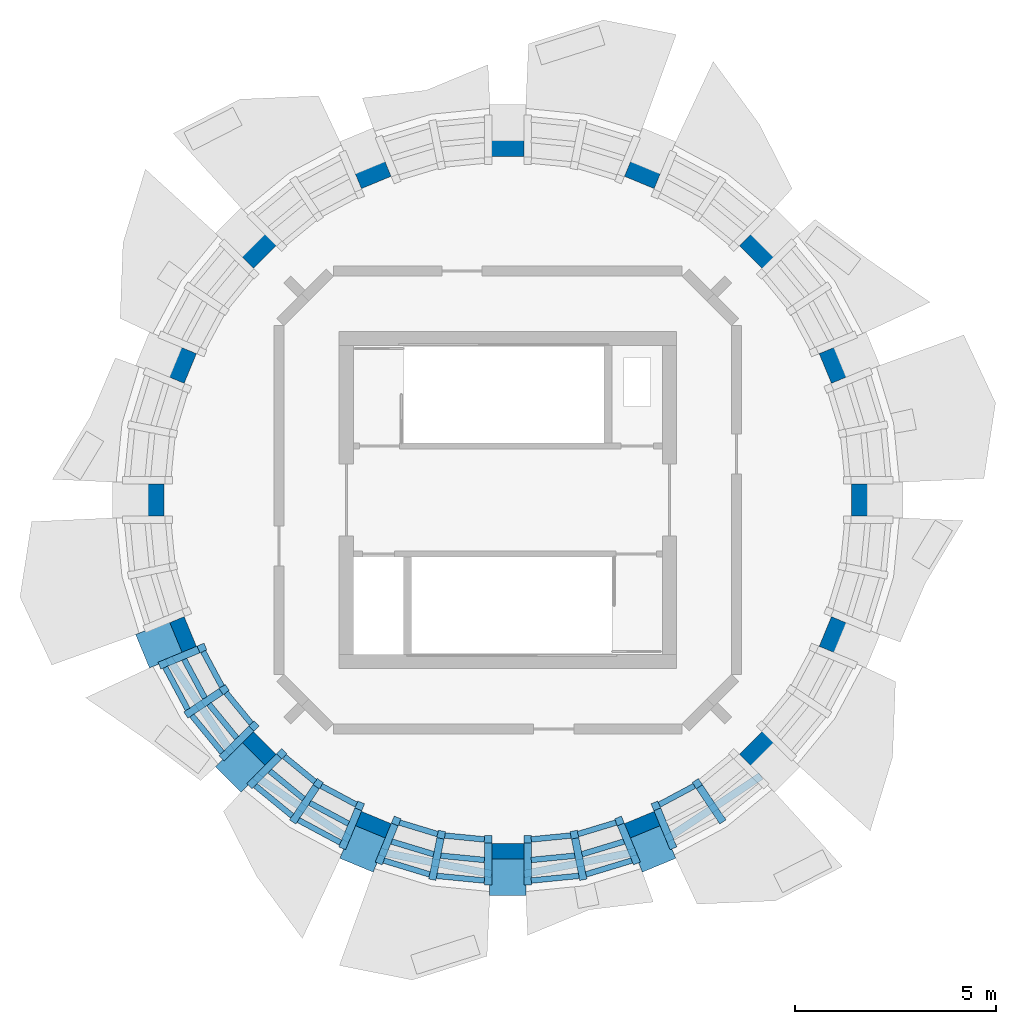
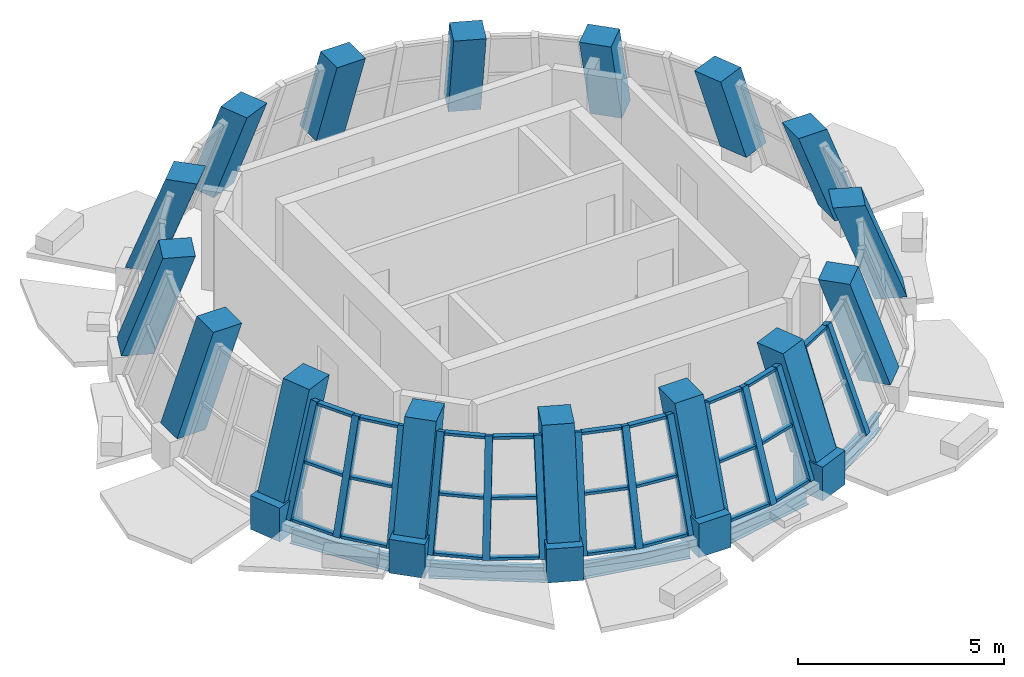
# One storey, part 1 of 8: 44 members, 16 columns, 5 beams, 5 elements without a shape of their own.
"""IFC4 building model written with IfcOpenShell, lengths in metres."""

from ifc_helpers import new_model, si_unit, direction, frame, origin, origin_2d, place, context, subcontext, project, spatial, rectangle, i_section, extrude, material, material_profile, profile_set, type_object, element, aggregate, save


model = new_model("IFC4")

# Units and contexts
model_context = context("Model", 3, precision=1e-05, world=origin(), true_north=direction((0.0, 1.0)))
body_context = subcontext(model_context, "Body", "Model", "MODEL_VIEW")
ifc_project = project(units=[si_unit("LENGTHUNIT", "METRE"), si_unit("AREAUNIT", "SQUARE_METRE"), si_unit("VOLUMEUNIT", "CUBIC_METRE"), si_unit("PLANEANGLEUNIT", "RADIAN"), si_unit("MASSUNIT", "GRAM", prefix="KILO")], contexts=[model_context])

# Site, building, storey
site_placement = place(None, origin())
site = spatial("IfcSite", under=ifc_project, at=site_placement, CompositionType="ELEMENT")
building_placement = place(site_placement, origin())
building = spatial("IfcBuilding", under=site, at=building_placement, Name="Polderwave Tower", CompositionType="ELEMENT")
storey_placement = place(building_placement, frame((0.0, 0.0, 244.39990234375)))
storey = spatial("IfcBuildingStorey", under=building, at=storey_placement, Name="L66", CompositionType="ELEMENT", Elevation=244.39990234375)

# Columns
ifc_material_1 = material(Name="Concrete C60/75", Category="concrete")
ifc_material_profile_1 = material_profile(ifc_material_1, rectangle(XDim=0.800048828125, YDim=0.800048828125, at=origin_2d()), Name="RC 800x800")
ifc_profile_set_1 = profile_set([ifc_material_profile_1], Name="Concrete C60/75")
column_type = type_object("IfcColumnType", Name="RC COLUMN 800x800 C60/75", PredefinedType="COLUMN", material=ifc_profile_set_1)
column_1_placement = place(storey_placement, frame((9.21826171875, 0.0, 0.5), z_axis=(0.0, 0.0, 1.0), x_axis=(0.0, -1.0, 0.0)))
element("IfcColumn", 1, at=column_1_placement, inside=storey, type_object=column_type, Name="Ring column 01", PredefinedType="COLUMN", context=body_context, shape_type="SweptSolid", body=[
    extrude(rectangle(XDim=0.800048828125, YDim=0.800048828125, at=origin_2d()), origin(), (0.0, -0.341775958904, 0.939781460721), 2.9794921875),
])
column_2_placement = place(storey_placement, frame((8.5166015625, 3.527587890625, 0.5), z_axis=(0.0, 0.0, 1.0), x_axis=(0.38269062517, -0.923876553121, 0.0)))
element("IfcColumn", 2, at=column_2_placement, inside=storey, type_object=column_type, Name="Ring column 02", PredefinedType="COLUMN", context=body_context, shape_type="SweptSolid", body=[
    extrude(rectangle(XDim=0.800048828125, YDim=0.800048828125, at=origin_2d()), origin(), (0.0, -0.341737645462, 0.939795393516), 2.9794921875),
])
column_3_placement = place(storey_placement, frame((6.518310546875, 6.518310546875, 0.5), z_axis=(0.0, 0.0, 1.0), x_axis=(0.707106781187, -0.707106781187, 0.0)))
element("IfcColumn", 3, at=column_3_placement, inside=storey, type_object=column_type, Name="Ring column 03", PredefinedType="COLUMN", context=body_context, shape_type="SweptSolid", body=[
    extrude(rectangle(XDim=0.800048828125, YDim=0.800048828125, at=origin_2d()), origin(), (0.0, -0.34174091659, 0.93979420403), 2.9794921875),
])
column_4_placement = place(storey_placement, frame((3.527587890625, 8.5166015625, 0.5), z_axis=(0.0, 0.0, 1.0), x_axis=(0.923876553121, -0.38269062517, 0.0)))
element("IfcColumn", 4, at=column_4_placement, inside=storey, type_object=column_type, Name="Ring column 04", PredefinedType="COLUMN", context=body_context, shape_type="SweptSolid", body=[
    extrude(rectangle(XDim=0.800048828125, YDim=0.800048828125, at=origin_2d()), origin(), (0.0, -0.341737645462, 0.939795393516), 2.9794921875),
])
column_5_placement = place(storey_placement, frame((0.0, 9.21826171875, 0.5), z_axis=(0.0, 0.0, 1.0), x_axis=(1.0, 0.0, 0.0)))
element("IfcColumn", 5, at=column_5_placement, inside=storey, type_object=column_type, Name="Ring column 05", PredefinedType="COLUMN", context=body_context, shape_type="SweptSolid", body=[
    extrude(rectangle(XDim=0.800048828125, YDim=0.800048828125, at=origin_2d()), origin(), (0.0, -0.341775958904, 0.939781460721), 2.9794921875),
])
column_6_placement = place(storey_placement, frame((-3.527587890625, 8.5166015625, 0.5), z_axis=(0.0, 0.0, 1.0), x_axis=(0.923876553121, 0.38269062517, 0.0)))
element("IfcColumn", 6, at=column_6_placement, inside=storey, type_object=column_type, Name="Ring column 06", PredefinedType="COLUMN", context=body_context, shape_type="SweptSolid", body=[
    extrude(rectangle(XDim=0.800048828125, YDim=0.800048828125, at=origin_2d()), origin(), (0.0, -0.341737645462, 0.939795393516), 2.9794921875),
])
column_7_placement = place(storey_placement, frame((-6.518310546875, 6.518310546875, 0.5), z_axis=(0.0, 0.0, 1.0), x_axis=(0.707106781187, 0.707106781187, 0.0)))
element("IfcColumn", 7, at=column_7_placement, inside=storey, type_object=column_type, Name="Ring column 07", PredefinedType="COLUMN", context=body_context, shape_type="SweptSolid", body=[
    extrude(rectangle(XDim=0.800048828125, YDim=0.800048828125, at=origin_2d()), origin(), (0.0, -0.34174091659, 0.93979420403), 2.9794921875),
])
column_8_placement = place(storey_placement, frame((-8.5166015625, 3.527587890625, 0.5), z_axis=(0.0, 0.0, 1.0), x_axis=(0.38269062517, 0.923876553121, 0.0)))
element("IfcColumn", 8, at=column_8_placement, inside=storey, type_object=column_type, Name="Ring column 08", PredefinedType="COLUMN", context=body_context, shape_type="SweptSolid", body=[
    extrude(rectangle(XDim=0.800048828125, YDim=0.800048828125, at=origin_2d()), origin(), (0.0, -0.341737645462, 0.939795393516), 2.9794921875),
])
column_9_placement = place(storey_placement, frame((-9.21826171875, 0.0, 0.5), z_axis=(0.0, 0.0, 1.0), x_axis=(0.0, 1.0, 0.0)))
element("IfcColumn", 9, at=column_9_placement, inside=storey, type_object=column_type, Name="Ring column 09", PredefinedType="COLUMN", context=body_context, shape_type="SweptSolid", body=[
    extrude(rectangle(XDim=0.800048828125, YDim=0.800048828125, at=origin_2d()), origin(), (0.0, -0.341775958904, 0.939781460721), 2.9794921875),
])
column_10_placement = place(storey_placement, frame((-8.5166015625, -3.527587890625, 0.5), z_axis=(0.0, 0.0, 1.0), x_axis=(-0.38269062517, 0.923876553121, 0.0)))
element("IfcColumn", 10, at=column_10_placement, inside=storey, type_object=column_type, Name="Ring column 10", PredefinedType="COLUMN", context=body_context, shape_type="SweptSolid", body=[
    extrude(rectangle(XDim=0.800048828125, YDim=0.800048828125, at=origin_2d()), origin(), (0.0, -0.341737645462, 0.939795393516), 2.9794921875),
])
column_11_placement = place(storey_placement, frame((-6.518310546875, -6.518310546875, 0.5), z_axis=(0.0, 0.0, 1.0), x_axis=(-0.707106781187, 0.707106781187, 0.0)))
element("IfcColumn", 11, at=column_11_placement, inside=storey, type_object=column_type, Name="Ring column 11", PredefinedType="COLUMN", context=body_context, shape_type="SweptSolid", body=[
    extrude(rectangle(XDim=0.800048828125, YDim=0.800048828125, at=origin_2d()), origin(), (0.0, -0.34174091659, 0.93979420403), 2.9794921875),
])
column_12_placement = place(storey_placement, frame((-3.527587890625, -8.5166015625, 0.5), z_axis=(0.0, 0.0, 1.0), x_axis=(-0.923876553121, 0.38269062517, 0.0)))
element("IfcColumn", 12, at=column_12_placement, inside=storey, type_object=column_type, Name="Ring column 12", PredefinedType="COLUMN", context=body_context, shape_type="SweptSolid", body=[
    extrude(rectangle(XDim=0.800048828125, YDim=0.800048828125, at=origin_2d()), origin(), (0.0, -0.341737645462, 0.939795393516), 2.9794921875),
])
column_13_placement = place(storey_placement, frame((0.0, -9.21826171875, 0.5), z_axis=(0.0, 0.0, 1.0), x_axis=(-1.0, 0.0, 0.0)))
element("IfcColumn", 13, at=column_13_placement, inside=storey, type_object=column_type, Name="Ring column 13", PredefinedType="COLUMN", context=body_context, shape_type="SweptSolid", body=[
    extrude(rectangle(XDim=0.800048828125, YDim=0.800048828125, at=origin_2d()), origin(), (0.0, -0.341775958904, 0.939781460721), 2.9794921875),
])
column_14_placement = place(storey_placement, frame((3.527587890625, -8.5166015625, 0.5), z_axis=(0.0, 0.0, 1.0), x_axis=(-0.923876553121, -0.38269062517, 0.0)))
element("IfcColumn", 14, at=column_14_placement, inside=storey, type_object=column_type, Name="Ring column 14", PredefinedType="COLUMN", context=body_context, shape_type="SweptSolid", body=[
    extrude(rectangle(XDim=0.800048828125, YDim=0.800048828125, at=origin_2d()), origin(), (0.0, -0.341737645462, 0.939795393516), 2.9794921875),
])
column_15_placement = place(storey_placement, frame((6.518310546875, -6.518310546875, 0.5), z_axis=(0.0, 0.0, 1.0), x_axis=(-0.707106781187, -0.707106781187, 0.0)))
element("IfcColumn", 15, at=column_15_placement, inside=storey, type_object=column_type, Name="Ring column 15", PredefinedType="COLUMN", context=body_context, shape_type="SweptSolid", body=[
    extrude(rectangle(XDim=0.800048828125, YDim=0.800048828125, at=origin_2d()), origin(), (0.0, -0.34174091659, 0.93979420403), 2.9794921875),
])
column_16_placement = place(storey_placement, frame((8.5166015625, -3.527587890625, 0.5), z_axis=(0.0, 0.0, 1.0), x_axis=(-0.38269062517, -0.923876553121, 0.0)))
element("IfcColumn", 16, at=column_16_placement, inside=storey, type_object=column_type, Name="Ring column 16", PredefinedType="COLUMN", context=body_context, shape_type="SweptSolid", body=[
    extrude(rectangle(XDim=0.800048828125, YDim=0.800048828125, at=origin_2d()), origin(), (0.0, -0.341737645462, 0.939795393516), 2.9794921875),
])

# Curtain wall, members
ifc_material_2 = material(Name="Aluminium 6063-T6 and glass", Category="aluminium")
curtain_wall_type = type_object("IfcCurtainWallType", Name="Crown facet glazing wall", PredefinedType="NOTDEFINED", material=ifc_material_2)
curtain_wall_1_placement = place(storey_placement, origin())
curtain_wall_1 = element("IfcCurtainWall", 17, at=curtain_wall_1_placement, inside=storey, type_object=curtain_wall_type, Name="CROWN CW6 L66 09", PredefinedType="NOTDEFINED")
ifc_material_3 = material(Name="Aluminium 6063-T6", Category="aluminium")
ifc_material_profile_2 = material_profile(ifc_material_3, rectangle(XDim=0.18505859375, YDim=0.199951171875, at=origin_2d()), Name="AL 185x200")
ifc_profile_set_2 = profile_set([ifc_material_profile_2], Name="Aluminium 6063-T6")
member_type_1 = type_object("IfcMemberType", Name="Crown facet glazing mullion 185x200", PredefinedType="MULLION", material=ifc_profile_set_2)
member_1_placement = place(storey_placement, frame((-8.59228515625, -4.091552734375, 0.0), z_axis=(0.310299397487, 0.128687341183, 0.941888449944), x_axis=(-0.383082628579, 0.923714078966, 0.0)))
member_1 = element("IfcMember", 18, at=member_1_placement, type_object=member_type_1, Name="CW6 mullion 1", PredefinedType="MULLION", context=body_context, shape_type="SweptSolid", body=[
    extrude(rectangle(XDim=0.18505859375, YDim=0.199951171875, at=origin_2d()), origin(), (0.0, 0.0, 1.0), 3.13232421875),
])
member_2_placement = place(storey_placement, frame((-7.94189453125, -5.306884765625, 0.0), z_axis=(0.279345260731, 0.186749789261, 0.941854947175), x_axis=(-0.555770310415, 0.831335890036, 0.0)))
member_2 = element("IfcMember", 19, at=member_2_placement, type_object=member_type_1, Name="CW6 mullion 2", PredefinedType="MULLION", context=body_context, shape_type="SweptSolid", body=[
    extrude(rectangle(XDim=0.18505859375, YDim=0.199951171875, at=origin_2d()), origin(), (0.0, 0.0, 1.0), 3.13232421875),
])
member_3_placement = place(storey_placement, frame((-7.067626953125, -6.37255859375, 0.0), z_axis=(0.237498431558, 0.237576376564, 0.941887445668), x_axis=(-0.707222785906, 0.706990757433, 0.0)))
member_3 = element("IfcMember", 20, at=member_3_placement, type_object=member_type_1, Name="CW6 mullion 3", PredefinedType="MULLION", context=body_context, shape_type="SweptSolid", body=[
    extrude(rectangle(XDim=0.18505859375, YDim=0.199951171875, at=origin_2d()), origin(), (0.0, 0.0, 1.0), 3.13232421875),
])

curtain_wall_2_placement = place(storey_placement, origin())
curtain_wall_2 = element("IfcCurtainWall", 21, at=curtain_wall_2_placement, inside=storey, type_object=curtain_wall_type, Name="CROWN CW6 L66 10", PredefinedType="NOTDEFINED")
member_4_placement = place(storey_placement, frame((-6.37255859375, -7.067626953125, 0.0), z_axis=(0.237576376564, 0.237498431558, 0.941887445668), x_axis=(-0.706990757433, 0.707222785906, 0.0)))
member_4 = element("IfcMember", 22, at=member_4_placement, type_object=member_type_1, Name="CW6 mullion 1", PredefinedType="MULLION", context=body_context, shape_type="SweptSolid", body=[
    extrude(rectangle(XDim=0.18505859375, YDim=0.199951171875, at=origin_2d()), origin(), (0.0, 0.0, 1.0), 3.13232421875),
])
member_5_placement = place(storey_placement, frame((-5.306884765625, -7.94189453125, 0.0), z_axis=(0.186749789261, 0.279345260731, 0.941854947175), x_axis=(-0.831335890036, 0.555770310415, 0.0)))
member_5 = element("IfcMember", 23, at=member_5_placement, type_object=member_type_1, Name="CW6 mullion 2", PredefinedType="MULLION", context=body_context, shape_type="SweptSolid", body=[
    extrude(rectangle(XDim=0.18505859375, YDim=0.199951171875, at=origin_2d()), origin(), (0.0, 0.0, 1.0), 3.13232421875),
])
member_6_placement = place(storey_placement, frame((-4.091552734375, -8.59228515625, 0.0), z_axis=(0.128687341183, 0.310299397487, 0.941888449944), x_axis=(-0.923714078966, 0.383082628579, 0.0)))
member_6 = element("IfcMember", 24, at=member_6_placement, type_object=member_type_1, Name="CW6 mullion 3", PredefinedType="MULLION", context=body_context, shape_type="SweptSolid", body=[
    extrude(rectangle(XDim=0.18505859375, YDim=0.199951171875, at=origin_2d()), origin(), (0.0, 0.0, 1.0), 3.13232421875),
])

curtain_wall_3_placement = place(storey_placement, origin())
curtain_wall_3 = element("IfcCurtainWall", 25, at=curtain_wall_3_placement, inside=storey, type_object=curtain_wall_type, Name="CROWN CW6 L66 11", PredefinedType="NOTDEFINED")
member_7_placement = place(storey_placement, frame((-3.1826171875, -8.968994140625, 0.0), z_axis=(0.128684228433, 0.310369835021, 0.9418656671), x_axis=(-0.923748119056, 0.383000538564, 0.0)))
member_7 = element("IfcMember", 26, at=member_7_placement, type_object=member_type_1, Name="CW6 mullion 1", PredefinedType="MULLION", context=body_context, shape_type="SweptSolid", body=[
    extrude(rectangle(XDim=0.18505859375, YDim=0.199951171875, at=origin_2d()), origin(), (0.0, 0.0, 1.0), 3.13232421875),
])
member_8_placement = place(storey_placement, frame((-1.864013671875, -9.368896484375, 0.0), z_axis=(0.065784515081, 0.329468181575, 0.941872132991), x_axis=(-0.980643086166, 0.19580382416, 0.0)))
member_8 = element("IfcMember", 27, at=member_8_placement, type_object=member_type_1, Name="CW6 mullion 2", PredefinedType="MULLION", context=body_context, shape_type="SweptSolid", body=[
    extrude(rectangle(XDim=0.18505859375, YDim=0.199951171875, at=origin_2d()), origin(), (0.0, 0.0, 1.0), 3.13232421875),
])
member_9_placement = place(storey_placement, frame((-0.4921875, -9.50390625, 0.0), z_axis=(0.0, 0.335872203123, 0.941907566149), x_axis=(-1.0, 0.0, 0.0)))
member_9 = element("IfcMember", 28, at=member_9_placement, type_object=member_type_1, Name="CW6 mullion 3", PredefinedType="MULLION", context=body_context, shape_type="SweptSolid", body=[
    extrude(rectangle(XDim=0.18505859375, YDim=0.199951171875, at=origin_2d()), origin(), (0.0, 0.0, 1.0), 3.132080078125),
])

curtain_wall_4_placement = place(storey_placement, origin())
curtain_wall_4 = element("IfcCurtainWall", 29, at=curtain_wall_4_placement, inside=storey, type_object=curtain_wall_type, Name="CROWN CW6 L66 12", PredefinedType="NOTDEFINED")
member_10_placement = place(storey_placement, frame((0.4921875, -9.50390625, 0.0), z_axis=(0.0, 0.335872203123, 0.941907566149), x_axis=(-1.0, 0.0, 0.0)))
member_10 = element("IfcMember", 30, at=member_10_placement, type_object=member_type_1, Name="CW6 mullion 1", PredefinedType="MULLION", context=body_context, shape_type="SweptSolid", body=[
    extrude(rectangle(XDim=0.18505859375, YDim=0.199951171875, at=origin_2d()), origin(), (0.0, 0.0, 1.0), 3.132080078125),
])
member_11_placement = place(storey_placement, frame((1.864013671875, -9.368896484375, 0.0), z_axis=(-0.065784515081, 0.329468181575, 0.941872132991), x_axis=(-0.980643086166, -0.19580382416, 0.0)))
member_11 = element("IfcMember", 31, at=member_11_placement, type_object=member_type_1, Name="CW6 mullion 2", PredefinedType="MULLION", context=body_context, shape_type="SweptSolid", body=[
    extrude(rectangle(XDim=0.18505859375, YDim=0.199951171875, at=origin_2d()), origin(), (0.0, 0.0, 1.0), 3.13232421875),
])
member_12_placement = place(storey_placement, frame((3.1826171875, -8.968994140625, 0.0), z_axis=(-0.128684228433, 0.310369835021, 0.9418656671), x_axis=(-0.923748119056, -0.383000538564, 0.0)))
member_12 = element("IfcMember", 32, at=member_12_placement, type_object=member_type_1, Name="CW6 mullion 3", PredefinedType="MULLION", context=body_context, shape_type="SweptSolid", body=[
    extrude(rectangle(XDim=0.18505859375, YDim=0.199951171875, at=origin_2d()), origin(), (0.0, 0.0, 1.0), 3.13232421875),
])

curtain_wall_5_placement = place(storey_placement, origin())
curtain_wall_5 = element("IfcCurtainWall", 33, at=curtain_wall_5_placement, inside=storey, type_object=curtain_wall_type, Name="CROWN CW6 L66 13", PredefinedType="NOTDEFINED")
member_13_placement = place(storey_placement, frame((4.091552734375, -8.59228515625, 0.0), z_axis=(-0.128687341183, 0.310299397487, 0.941888449944), x_axis=(-0.923714078966, -0.383082628579, 0.0)))
member_13 = element("IfcMember", 34, at=member_13_placement, type_object=member_type_1, Name="CW6 mullion 1", PredefinedType="MULLION", context=body_context, shape_type="SweptSolid", body=[
    extrude(rectangle(XDim=0.18505859375, YDim=0.199951171875, at=origin_2d()), origin(), (0.0, 0.0, 1.0), 3.13232421875),
])
member_14_placement = place(storey_placement, frame((5.306884765625, -7.94189453125, 0.0), z_axis=(-0.186749789261, 0.279345260731, 0.941854947175), x_axis=(-0.831335890036, -0.555770310415, 0.0)))
member_14 = element("IfcMember", 35, at=member_14_placement, type_object=member_type_1, Name="CW6 mullion 2", PredefinedType="MULLION", context=body_context, shape_type="SweptSolid", body=[
    extrude(rectangle(XDim=0.18505859375, YDim=0.199951171875, at=origin_2d()), origin(), (0.0, 0.0, 1.0), 3.13232421875),
])

# Member
ifc_material_profile_3 = material_profile(ifc_material_3, rectangle(XDim=0.139892578125, YDim=0.080078125, at=origin_2d()), Name="AL 80x140")
ifc_profile_set_3 = profile_set([ifc_material_profile_3], Name="Aluminium 6063-T6")
member_type_2 = type_object("IfcMemberType", Name="Crown facet glazing transom 80x140", PredefinedType="USERDEFINED", material=ifc_profile_set_3)
member_15_placement = place(storey_placement, frame((-8.535400390625, -4.167724609375, 0.0400390625), z_axis=(0.471652250337, -0.881784641935, 0.0), x_axis=(0.881784641935, 0.471652250337, 0.0)))
member_15 = element("IfcMember", 36, at=member_15_placement, type_object=member_type_2, Name="CW6 transom 1", ObjectType="TRANSOM", PredefinedType="USERDEFINED", context=body_context, shape_type="SweptSolid", body=[
    extrude(rectangle(XDim=0.139892578125, YDim=0.080078125, at=origin_2d()), origin(), (0.0, 0.0, 1.0), 1.1904296875),
])

member_16_placement = place(storey_placement, frame((-8.062744140625, -3.9716796875, 1.47509765625), z_axis=(0.472028770132, -0.881583144217, 0.0), x_axis=(0.881583144217, 0.472028770132, 0.0)))
member_16 = element("IfcMember", 37, at=member_16_placement, type_object=member_type_2, Name="CW6 transom 2", ObjectType="TRANSOM", PredefinedType="USERDEFINED", context=body_context, shape_type="SweptSolid", body=[
    extrude(rectangle(XDim=0.139892578125, YDim=0.080078125, at=origin_2d()), origin(), (0.0, 0.0, 1.0), 1.09033203125),
])

member_17_placement = place(storey_placement, frame((-7.58984375, -3.775634765625, 2.91015625), z_axis=(0.471995569536, -0.88160092011, 0.0), x_axis=(0.88160092011, 0.471995569536, 0.0)))
member_17 = element("IfcMember", 38, at=member_17_placement, type_object=member_type_2, Name="CW6 transom 3", ObjectType="TRANSOM", PredefinedType="USERDEFINED", context=body_context, shape_type="SweptSolid", body=[
    extrude(rectangle(XDim=0.139892578125, YDim=0.080078125, at=origin_2d()), origin(), (0.0, 0.0, 1.0), 0.989990234375),
])

member_18_placement = place(storey_placement, frame((-7.87158203125, -5.37060546875, 0.0400390625), z_axis=(0.634398302458, -0.773006334928, 0.0), x_axis=(0.773006334928, 0.634398302458, 0.0)))
member_18 = element("IfcMember", 39, at=member_18_placement, type_object=member_type_2, Name="CW6 transom 4", ObjectType="TRANSOM", PredefinedType="USERDEFINED", context=body_context, shape_type="SweptSolid", body=[
    extrude(rectangle(XDim=0.139892578125, YDim=0.080078125, at=origin_2d()), origin(), (0.0, 0.0, 1.0), 1.190673828125),
])

member_19_placement = place(storey_placement, frame((-7.44580078125, -5.0859375, 1.47509765625), z_axis=(0.63415188799, -0.773208499021, 0.0), x_axis=(0.773208499021, 0.63415188799, 0.0)))
member_19 = element("IfcMember", 40, at=member_19_placement, type_object=member_type_2, Name="CW6 transom 5", ObjectType="TRANSOM", PredefinedType="USERDEFINED", context=body_context, shape_type="SweptSolid", body=[
    extrude(rectangle(XDim=0.139892578125, YDim=0.080078125, at=origin_2d()), origin(), (0.0, 0.0, 1.0), 1.09033203125),
])

member_20_placement = place(storey_placement, frame((-7.020263671875, -4.801513671875, 2.91015625), z_axis=(0.634150351178, -0.773209759445, 0.0), x_axis=(0.773209759445, 0.634150351178, 0.0)))
member_20 = element("IfcMember", 41, at=member_20_placement, type_object=member_type_2, Name="CW6 transom 6", ObjectType="TRANSOM", PredefinedType="USERDEFINED", context=body_context, shape_type="SweptSolid", body=[
    extrude(rectangle(XDim=0.139892578125, YDim=0.080078125, at=origin_2d()), origin(), (0.0, 0.0, 1.0), 0.990234375),
])

aggregate(curtain_wall_1, [member_1, member_2, member_3, member_15, member_16, member_17, member_18, member_19, member_20])

member_21_placement = place(storey_placement, frame((-6.291015625, -7.1162109375, 0.0400390625), z_axis=(0.773006334928, -0.634398302458, 0.0), x_axis=(0.634398302458, 0.773006334928, 0.0)))
member_21 = element("IfcMember", 42, at=member_21_placement, type_object=member_type_2, Name="CW6 transom 1", ObjectType="TRANSOM", PredefinedType="USERDEFINED", context=body_context, shape_type="SweptSolid", body=[
    extrude(rectangle(XDim=0.139892578125, YDim=0.080078125, at=origin_2d()), origin(), (0.0, 0.0, 1.0), 1.190673828125),
])

member_22_placement = place(storey_placement, frame((-5.928955078125, -6.75439453125, 1.47509765625), z_axis=(0.773208499021, -0.63415188799, 0.0), x_axis=(0.63415188799, 0.773208499021, 0.0)))
member_22 = element("IfcMember", 43, at=member_22_placement, type_object=member_type_2, Name="CW6 transom 2", ObjectType="TRANSOM", PredefinedType="USERDEFINED", context=body_context, shape_type="SweptSolid", body=[
    extrude(rectangle(XDim=0.139892578125, YDim=0.080078125, at=origin_2d()), origin(), (0.0, 0.0, 1.0), 1.09033203125),
])

member_23_placement = place(storey_placement, frame((-5.567138671875, -6.392333984375, 2.91015625), z_axis=(0.773209759445, -0.634150351178, 0.0), x_axis=(0.634150351178, 0.773209759445, 0.0)))
member_23 = element("IfcMember", 44, at=member_23_placement, type_object=member_type_2, Name="CW6 transom 3", ObjectType="TRANSOM", PredefinedType="USERDEFINED", context=body_context, shape_type="SweptSolid", body=[
    extrude(rectangle(XDim=0.139892578125, YDim=0.080078125, at=origin_2d()), origin(), (0.0, 0.0, 1.0), 0.990234375),
])

member_24_placement = place(storey_placement, frame((-5.217529296875, -7.973876953125, 0.0400390625), z_axis=(0.881784641935, -0.471652250337, 0.0), x_axis=(0.471652250337, 0.881784641935, 0.0)))
member_24 = element("IfcMember", 45, at=member_24_placement, type_object=member_type_2, Name="CW6 transom 4", ObjectType="TRANSOM", PredefinedType="USERDEFINED", context=body_context, shape_type="SweptSolid", body=[
    extrude(rectangle(XDim=0.139892578125, YDim=0.080078125, at=origin_2d()), origin(), (0.0, 0.0, 1.0), 1.1904296875),
])

member_25_placement = place(storey_placement, frame((-4.932861328125, -7.548095703125, 1.47509765625), z_axis=(0.881583144217, -0.472028770132, 0.0), x_axis=(0.472028770132, 0.881583144217, 0.0)))
member_25 = element("IfcMember", 46, at=member_25_placement, type_object=member_type_2, Name="CW6 transom 5", ObjectType="TRANSOM", PredefinedType="USERDEFINED", context=body_context, shape_type="SweptSolid", body=[
    extrude(rectangle(XDim=0.139892578125, YDim=0.080078125, at=origin_2d()), origin(), (0.0, 0.0, 1.0), 1.09033203125),
])

member_26_placement = place(storey_placement, frame((-4.6484375, -7.12255859375, 2.91015625), z_axis=(0.88160092011, -0.471995569536, 0.0), x_axis=(0.471995569536, 0.88160092011, 0.0)))
member_26 = element("IfcMember", 47, at=member_26_placement, type_object=member_type_2, Name="CW6 transom 6", ObjectType="TRANSOM", PredefinedType="USERDEFINED", context=body_context, shape_type="SweptSolid", body=[
    extrude(rectangle(XDim=0.139892578125, YDim=0.080078125, at=origin_2d()), origin(), (0.0, 0.0, 1.0), 0.989990234375),
])

aggregate(curtain_wall_2, [member_4, member_5, member_6, member_21, member_22, member_23, member_24, member_25, member_26])

member_27_placement = place(storey_placement, frame((-3.08837890625, -8.982421875, 0.0400390625), z_axis=(0.956872429715, -0.29050843921, 0.0), x_axis=(0.29050843921, 0.956872429715, 0.0)))
member_27 = element("IfcMember", 48, at=member_27_placement, type_object=member_type_2, Name="CW6 transom 1", ObjectType="TRANSOM", PredefinedType="USERDEFINED", context=body_context, shape_type="SweptSolid", body=[
    extrude(rectangle(XDim=0.139892578125, YDim=0.080078125, at=origin_2d()), origin(), (0.0, 0.0, 1.0), 1.18994140625),
])

member_28_placement = place(storey_placement, frame((-2.892578125, -8.509765625, 1.47509765625), z_axis=(0.956933928415, -0.290305798508, 0.0), x_axis=(0.290305798508, 0.956933928415, 0.0)))
member_28 = element("IfcMember", 49, at=member_28_placement, type_object=member_type_2, Name="CW6 transom 2", ObjectType="TRANSOM", PredefinedType="USERDEFINED", context=body_context, shape_type="SweptSolid", body=[
    extrude(rectangle(XDim=0.139892578125, YDim=0.080078125, at=origin_2d()), origin(), (0.0, 0.0, 1.0), 1.08984375),
])

member_29_placement = place(storey_placement, frame((-2.6962890625, -8.036865234375, 2.91015625), z_axis=(0.956918526639, -0.290356562479, 0.0), x_axis=(0.290356562479, 0.956918526639, 0.0)))
member_29 = element("IfcMember", 50, at=member_29_placement, type_object=member_type_2, Name="CW6 transom 3", ObjectType="TRANSOM", PredefinedType="USERDEFINED", context=body_context, shape_type="SweptSolid", body=[
    extrude(rectangle(XDim=0.139892578125, YDim=0.080078125, at=origin_2d()), origin(), (0.0, 0.0, 1.0), 0.98974609375),
])

member_30_placement = place(storey_placement, frame((-1.769287109375, -9.364013671875, 0.0400390625), z_axis=(0.995188240422, -0.097981458068, 0.0), x_axis=(0.097981458068, 0.995188240422, 0.0)))
member_30 = element("IfcMember", 51, at=member_30_placement, type_object=member_type_2, Name="CW6 transom 4", ObjectType="TRANSOM", PredefinedType="USERDEFINED", context=body_context, shape_type="SweptSolid", body=[
    extrude(rectangle(XDim=0.139892578125, YDim=0.080078125, at=origin_2d()), origin(), (0.0, 0.0, 1.0), 1.19091796875),
])

member_31_placement = place(storey_placement, frame((-1.6689453125, -8.862060546875, 1.47509765625), z_axis=(0.99517807936, -0.098084608182, 0.0), x_axis=(0.098084608182, 0.99517807936, 0.0)))
member_31 = element("IfcMember", 52, at=member_31_placement, type_object=member_type_2, Name="CW6 transom 5", ObjectType="TRANSOM", PredefinedType="USERDEFINED", context=body_context, shape_type="SweptSolid", body=[
    extrude(rectangle(XDim=0.139892578125, YDim=0.080078125, at=origin_2d()), origin(), (0.0, 0.0, 1.0), 1.09033203125),
])

member_32_placement = place(storey_placement, frame((-1.568603515625, -8.360107421875, 2.91015625), z_axis=(0.995189920385, -0.097964393353, 0.0), x_axis=(0.097964393353, 0.995189920385, 0.0)))
member_32 = element("IfcMember", 53, at=member_32_placement, type_object=member_type_2, Name="CW6 transom 6", ObjectType="TRANSOM", PredefinedType="USERDEFINED", context=body_context, shape_type="SweptSolid", body=[
    extrude(rectangle(XDim=0.139892578125, YDim=0.080078125, at=origin_2d()), origin(), (0.0, 0.0, 1.0), 0.9892578125),
])

aggregate(curtain_wall_3, [member_7, member_8, member_9, member_27, member_28, member_29, member_30, member_31, member_32])

member_33_placement = place(storey_placement, frame((0.583984375, -9.480712890625, 0.0400390625), z_axis=(0.995188240422, 0.097981458068, 0.0), x_axis=(-0.097981458068, 0.995188240422, 0.0)))
member_33 = element("IfcMember", 54, at=member_33_placement, type_object=member_type_2, Name="CW6 transom 1", ObjectType="TRANSOM", PredefinedType="USERDEFINED", context=body_context, shape_type="SweptSolid", body=[
    extrude(rectangle(XDim=0.139892578125, YDim=0.080078125, at=origin_2d()), origin(), (0.0, 0.0, 1.0), 1.19091796875),
])

member_34_placement = place(storey_placement, frame((0.583984375, -8.968994140625, 1.47509765625), z_axis=(0.99517807936, 0.098084608182, 0.0), x_axis=(-0.098084608182, 0.99517807936, 0.0)))
member_34 = element("IfcMember", 55, at=member_34_placement, type_object=member_type_2, Name="CW6 transom 2", ObjectType="TRANSOM", PredefinedType="USERDEFINED", context=body_context, shape_type="SweptSolid", body=[
    extrude(rectangle(XDim=0.139892578125, YDim=0.080078125, at=origin_2d()), origin(), (0.0, 0.0, 1.0), 1.09033203125),
])

member_35_placement = place(storey_placement, frame((0.583984375, -8.45703125, 2.91015625), z_axis=(0.995189920385, 0.097964393353, 0.0), x_axis=(-0.097964393353, 0.995189920385, 0.0)))
member_35 = element("IfcMember", 56, at=member_35_placement, type_object=member_type_2, Name="CW6 transom 3", ObjectType="TRANSOM", PredefinedType="USERDEFINED", context=body_context, shape_type="SweptSolid", body=[
    extrude(rectangle(XDim=0.139892578125, YDim=0.080078125, at=origin_2d()), origin(), (0.0, 0.0, 1.0), 0.9892578125),
])

member_36_placement = place(storey_placement, frame((1.94970703125, -9.328125, 0.0400390625), z_axis=(0.956872429715, 0.29050843921, 0.0), x_axis=(-0.29050843921, 0.956872429715, 0.0)))
member_36 = element("IfcMember", 57, at=member_36_placement, type_object=member_type_2, Name="CW6 transom 4", ObjectType="TRANSOM", PredefinedType="USERDEFINED", context=body_context, shape_type="SweptSolid", body=[
    extrude(rectangle(XDim=0.139892578125, YDim=0.080078125, at=origin_2d()), origin(), (0.0, 0.0, 1.0), 1.18994140625),
])

member_37_placement = place(storey_placement, frame((1.849609375, -8.826171875, 1.47509765625), z_axis=(0.956933928415, 0.290305798508, 0.0), x_axis=(-0.290305798508, 0.956933928415, 0.0)))
member_37 = element("IfcMember", 58, at=member_37_placement, type_object=member_type_2, Name="CW6 transom 5", ObjectType="TRANSOM", PredefinedType="USERDEFINED", context=body_context, shape_type="SweptSolid", body=[
    extrude(rectangle(XDim=0.139892578125, YDim=0.080078125, at=origin_2d()), origin(), (0.0, 0.0, 1.0), 1.08984375),
])

member_38_placement = place(storey_placement, frame((1.749267578125, -8.32421875, 2.91015625), z_axis=(0.956918526639, 0.290356562479, 0.0), x_axis=(-0.290356562479, 0.956918526639, 0.0)))
member_38 = element("IfcMember", 59, at=member_38_placement, type_object=member_type_2, Name="CW6 transom 6", ObjectType="TRANSOM", PredefinedType="USERDEFINED", context=body_context, shape_type="SweptSolid", body=[
    extrude(rectangle(XDim=0.139892578125, YDim=0.080078125, at=origin_2d()), origin(), (0.0, 0.0, 1.0), 0.98974609375),
])

aggregate(curtain_wall_4, [member_10, member_11, member_12, member_33, member_34, member_35, member_36, member_37, member_38])

member_39_placement = place(storey_placement, frame((3.775634765625, -7.58984375, 2.91015625), z_axis=(0.88160092011, 0.471995569536, 0.0), x_axis=(-0.471995569536, 0.88160092011, 0.0)))
member_39 = element("IfcMember", 60, at=member_39_placement, type_object=member_type_2, Name="CW6 transom 3", ObjectType="TRANSOM", PredefinedType="USERDEFINED", context=body_context, shape_type="SweptSolid", body=[
    extrude(rectangle(XDim=0.139892578125, YDim=0.080078125, at=origin_2d()), origin(), (0.0, 0.0, 1.0), 0.989990234375),
])

aggregate(curtain_wall_5, [member_13, member_14, member_39])

# Members
ifc_material_profile_4 = material_profile(ifc_material_1, rectangle(XDim=0.89990234375, YDim=0.89990234375, at=origin_2d()), Name="RC 900x900")
ifc_profile_set_4 = profile_set([ifc_material_profile_4], Name="Concrete C60/75")
member_type_3 = type_object("IfcMemberType", Name="RC NODE 900x900 C60/75", PredefinedType="POST", material=ifc_profile_set_4)
for number, where, z_axis, x_axis, name in (
    (61, (-8.68359375, -3.596923828125, -0.5), (0.0, 0.0, 1.0), (-0.923879532511, -0.382683432365, 0.0), "Ring column node 10"),
    (62, (-6.646240234375, -6.646240234375, -0.5), (0.0, 0.0, 1.0), (-0.707106781187, -0.707106781187, 0.0), "Ring column node 11"),
    (63, (-3.596923828125, -8.68359375, -0.5), (0.0, 0.0, 1.0), (-0.382683432365, -0.923879532511, 0.0), "Ring column node 12"),
    (64, (0.0, -9.399169921875, -0.5), (0.0, 0.0, 1.0), (0.0, -1.0, 0.0), "Ring column node 13"),
    (65, (3.596923828125, -8.68359375, -0.5), (0.0, 0.0, 1.0), (0.382683432365, -0.923879532511, 0.0), "Ring column node 14"),
):
    element("IfcMember", number, at=place(storey_placement, frame(where, z_axis=z_axis, x_axis=x_axis)), inside=storey, type_object=member_type_3, Name=name, PredefinedType="POST", context=body_context, shape_type="SweptSolid", body=[
        extrude(rectangle(XDim=0.89990234375, YDim=0.89990234375, at=origin_2d()), origin(), (0.0, 0.0, 1.0), 1.0),
    ])

# Beams
ifc_material_4 = material(Name="Steel S355", Category="steel")
ifc_material_profile_5 = material_profile(ifc_material_4, i_section(OverallWidth=0.18994140625, OverallDepth=0.449951171875, WebThickness=0.009521484375, FlangeThickness=0.0146484375, at=origin_2d()), Name="IPE 450")
ifc_profile_set_5 = profile_set([ifc_material_profile_5], Name="Steel S355")
beam_type = type_object("IfcBeamType", Name="RING BEAM IPE 450", PredefinedType="BEAM", material=ifc_profile_set_5)
for number, where, z_axis, x_axis, name in (
    (66, (-8.4580078125, -3.936279296875, -0.574951171875), (0.555628279464, -0.831430823977, 0.0), (0.831430823977, 0.555628279464, 0.0), "ST-RB-L66-09"),
    (67, (-6.3076171875, -6.873291015625, -0.574951171875), (0.831430823977, -0.555628279464, 0.0), (0.555628279464, 0.831430823977, 0.0), "ST-RB-L66-10"),
):
    element("IfcBeam", number, at=place(storey_placement, frame(where, z_axis=z_axis, x_axis=x_axis)), inside=storey, type_object=beam_type, Name=name, PredefinedType="BEAM", context=body_context, shape_type="SweptSolid", body=[
        extrude(i_section(OverallWidth=0.18994140625, OverallDepth=0.449951171875, WebThickness=0.009521484375, FlangeThickness=0.0146484375, at=origin_2d()), origin(), (0.0, 0.0, 1.0), 2.85205078125),
    ])
for number, where, z_axis, x_axis, name in (
    (68, (-3.197265625, -8.763916015625, -0.574951171875), (0.9807711582, -0.195161305699, 0.0), (0.195161305699, 0.9807711582, 0.0), "ST-RB-L66-11"),
    (69, (0.39990234375, -9.320556640625, -0.574951171875), (0.9807711582, 0.195161305699, 0.0), (-0.195161305699, 0.9807711582, 0.0), "ST-RB-L66-12"),
):
    element("IfcBeam", number, at=place(storey_placement, frame(where, z_axis=z_axis, x_axis=x_axis)), inside=storey, type_object=beam_type, Name=name, PredefinedType="BEAM", context=body_context, shape_type="SweptSolid", body=[
        extrude(i_section(OverallWidth=0.18994140625, OverallDepth=0.449951171875, WebThickness=0.009521484375, FlangeThickness=0.0146484375, at=origin_2d()), origin(), (0.0, 0.0, 1.0), 2.852294921875),
    ])
beam_placement = place(storey_placement, frame((3.936279296875, -8.4580078125, -0.574951171875), z_axis=(0.831430823977, 0.555628279464, 0.0), x_axis=(-0.555628279464, 0.831430823977, 0.0)))
element("IfcBeam", 70, at=beam_placement, inside=storey, type_object=beam_type, Name="ST-RB-L66-13", PredefinedType="BEAM", context=body_context, shape_type="SweptSolid", body=[
    extrude(i_section(OverallWidth=0.18994140625, OverallDepth=0.449951171875, WebThickness=0.009521484375, FlangeThickness=0.0146484375, at=origin_2d()), origin(), (0.0, 0.0, 1.0), 2.85205078125),
])

save(model, "model.ifc")
